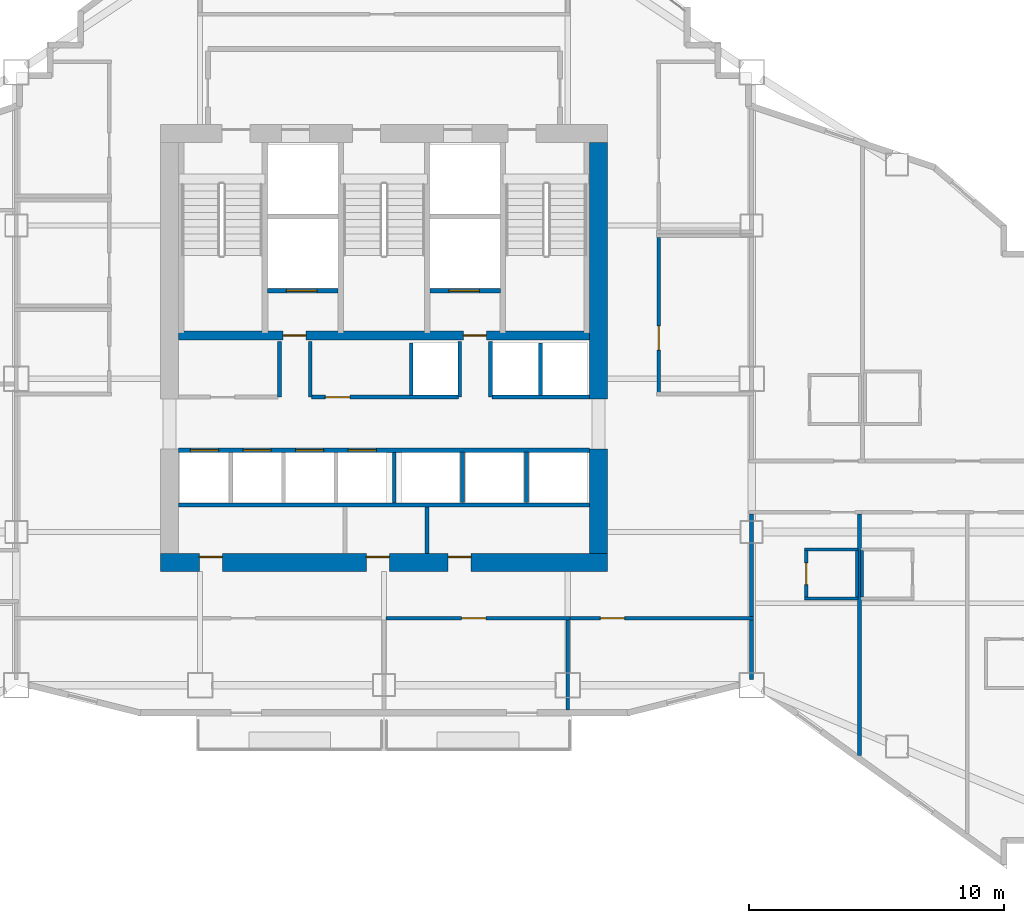
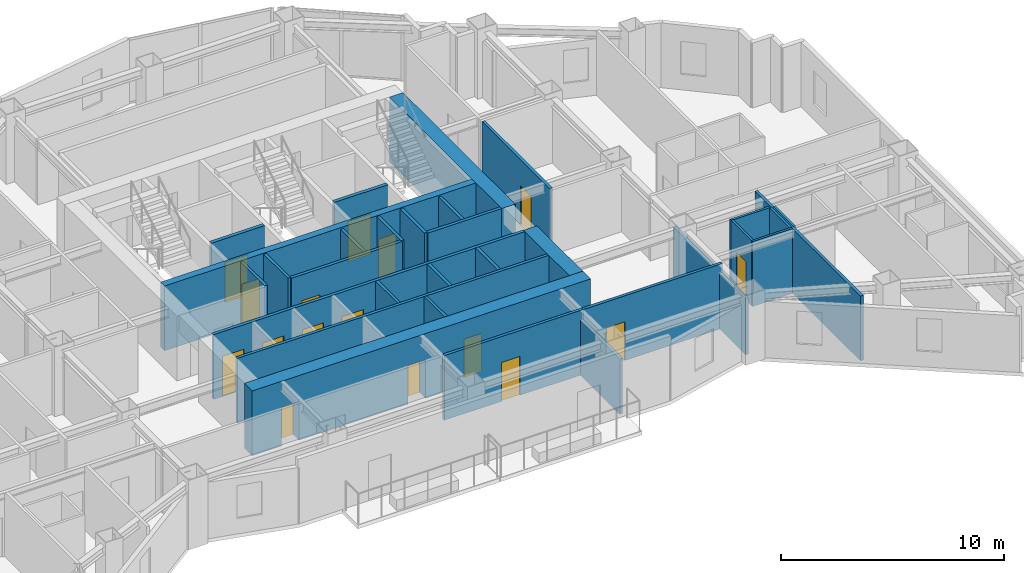
# One storey, part 9 of 14: 32 walls, 16 doors, 16 openings.
"""IFC4 building model written with IfcOpenShell, lengths in metres."""

from ifc_helpers import new_model, si_unit, direction, frame, frame_2d, origin, place, context, subcontext, project, spatial, rectangle, extrude, material, layer, layer_set, type_object, element, fill, save


model = new_model("IFC4")

# Units and contexts
model_context = context("Model", 3, precision=1e-05, world=origin(), true_north=direction((0.0, 1.0)))
body_context = subcontext(model_context, "Body", "Model", "MODEL_VIEW")
ifc_project = project(units=[si_unit("LENGTHUNIT", "METRE"), si_unit("AREAUNIT", "SQUARE_METRE"), si_unit("VOLUMEUNIT", "CUBIC_METRE"), si_unit("PLANEANGLEUNIT", "RADIAN"), si_unit("MASSUNIT", "GRAM", prefix="KILO")], contexts=[model_context])

# Site, building, storey
site_placement = place(None, origin())
site = spatial("IfcSite", under=ifc_project, at=site_placement, CompositionType="ELEMENT")
building_placement = place(site_placement, origin())
building = spatial("IfcBuilding", under=site, at=building_placement, Name="Haolan Belvedere Tower", CompositionType="ELEMENT")
storey_placement = place(building_placement, frame((0.0, 0.0, 132.60009765625)))
storey = spatial("IfcBuildingStorey", under=building, at=storey_placement, Name="L33", CompositionType="ELEMENT", Elevation=132.60009765625)

# Wall, openings, doors
ifc_material_1 = material(Name="Concrete C60/75", Category="concrete")
ifc_layer_1 = layer(ifc_material_1, 0.699951171875, Name="Concrete C60/75")
ifc_layer_set_1 = layer_set([ifc_layer_1], Name="Concrete C60/75")
wall_type_1 = type_object("IfcWallType", Name="WL-CORE-700", PredefinedType="SHEAR", material=ifc_layer_set_1)
wall_1_placement = place(storey_placement, frame((29.64990234375, 26.39990234375, 0.0), z_axis=(0.0, 0.0, 1.0), x_axis=(1.0, 0.0, 0.0)))
wall_1 = element("IfcWall", 1, at=wall_1_placement, inside=storey, type_object=wall_type_1, Name="L33 central core south shear wall", PredefinedType="SHEAR", context=body_context, shape_type="SweptSolid", body=[
    extrude(rectangle(XDim=17.5, YDim=0.699951171875, at=frame_2d((8.75, 0.0))), origin(), (0.0, 0.0, 1.0), 3.539794921875),
])
opening_1_placement = place(wall_1_placement, frame((2.419921875, 0.0, 0.0), z_axis=(0.0, 0.0, 1.0), x_axis=(-1.0, 0.0, 0.0)))
opening_1 = element("IfcOpeningElement", 2, at=opening_1_placement, cuts=wall_1, Name="Opening FD-05", PredefinedType="OPENING", context=body_context, shape_type="SweptSolid", body=[
    extrude(rectangle(XDim=0.89990234375, YDim=2.10009765625, at=frame_2d((0.449951171875, 1.050048828125))), frame((0.0, 0.35986328125, 0.0), z_axis=(0.0, -1.0, 0.0), x_axis=(1.0, 0.0, 0.0)), (0.0, 0.0, 1.0), 0.719970703125),
])
opening_2_placement = place(wall_1_placement, frame((8.9599609375, 0.0, 0.0), z_axis=(0.0, 0.0, 1.0), x_axis=(-1.0, 0.0, 0.0)))
opening_2 = element("IfcOpeningElement", 3, at=opening_2_placement, cuts=wall_1, Name="Opening FD-05", PredefinedType="OPENING", context=body_context, shape_type="SweptSolid", body=[
    extrude(rectangle(XDim=0.89990234375, YDim=2.10009765625, at=frame_2d((0.449951171875, 1.050048828125))), frame((0.0, 0.35986328125, 0.0), z_axis=(0.0, -1.0, 0.0), x_axis=(1.0, 0.0, 0.0)), (0.0, 0.0, 1.0), 0.719970703125),
])
opening_3_placement = place(wall_1_placement, frame((12.159912109375, 0.0, 0.0), z_axis=(0.0, 0.0, 1.0), x_axis=(-1.0, 0.0, 0.0)))
opening_3 = element("IfcOpeningElement", 4, at=opening_3_placement, cuts=wall_1, Name="Opening FD-05", PredefinedType="OPENING", context=body_context, shape_type="SweptSolid", body=[
    extrude(rectangle(XDim=0.89990234375, YDim=2.10009765625, at=frame_2d((0.449951171875, 1.050048828125))), frame((0.0, 0.35986328125, 0.0), z_axis=(0.0, -1.0, 0.0), x_axis=(1.0, 0.0, 0.0)), (0.0, 0.0, 1.0), 0.719970703125),
])
ifc_material_2 = material(Name="Galvanised fire-rated steel", Category="steel")
door_type_1 = type_object("IfcDoorType", Name="DR-FD60-900", OperationType="NOTDEFINED", PredefinedType="DOOR", material=ifc_material_2)
door_1_placement = place(opening_1_placement, origin())
door_1 = element("IfcDoor", 5, at=door_1_placement, inside=storey, type_object=door_type_1, Name="L33 door CD-L33-SCV-1", OperationType="SINGLE_SWING_LEFT", OverallHeight=2.10009765625, OverallWidth=0.89990234375, PredefinedType="DOOR", context=body_context, shape_type="SweptSolid", body=[
    extrude(rectangle(XDim=0.89990234375, YDim=2.10009765625, at=frame_2d((0.449951171875, 1.050048828125))), frame((0.0, -0.19482421875, 0.0), z_axis=(0.0, -1.0, 0.0), x_axis=(1.0, 0.0, 0.0)), (0.0, 0.0, 1.0), 0.050048828125),
])
fill(opening_1, door_1)
door_2_placement = place(opening_2_placement, origin())
door_2 = element("IfcDoor", 6, at=door_2_placement, inside=storey, type_object=door_type_1, Name="L33 door CD-L33-SCV-2", OperationType="SINGLE_SWING_RIGHT", OverallHeight=2.10009765625, OverallWidth=0.89990234375, PredefinedType="DOOR", context=body_context, shape_type="SweptSolid", body=[
    extrude(rectangle(XDim=0.89990234375, YDim=2.10009765625, at=frame_2d((0.449951171875, 1.050048828125))), frame((0.0, -0.19482421875, 0.0), z_axis=(0.0, -1.0, 0.0), x_axis=(1.0, 0.0, 0.0)), (0.0, 0.0, 1.0), 0.050048828125),
])
fill(opening_2, door_2)
door_3_placement = place(opening_3_placement, origin())
door_3 = element("IfcDoor", 7, at=door_3_placement, inside=storey, type_object=door_type_1, Name="L33 door CD-L33-SCV-3", OperationType="SINGLE_SWING_LEFT", OverallHeight=2.10009765625, OverallWidth=0.89990234375, PredefinedType="DOOR", context=body_context, shape_type="SweptSolid", body=[
    extrude(rectangle(XDim=0.89990234375, YDim=2.10009765625, at=frame_2d((0.449951171875, 1.050048828125))), frame((0.0, -0.19482421875, 0.0), z_axis=(0.0, -1.0, 0.0), x_axis=(1.0, 0.0, 0.0)), (0.0, 0.0, 1.0), 0.050048828125),
])
fill(opening_3, door_3)

# Walls
wall_2_placement = place(storey_placement, frame((46.800048828125, 26.75, 0.0), z_axis=(0.0, 0.0, 1.0), x_axis=(0.0, 1.0, 0.0)))
element("IfcWall", 8, at=wall_2_placement, inside=storey, type_object=wall_type_1, Name="L33 central core shear wall ES", PredefinedType="SHEAR", context=body_context, shape_type="SweptSolid", body=[
    extrude(rectangle(XDim=4.10009765625, YDim=0.699951171875, at=frame_2d((2.050048828125, 0.0))), origin(), (0.0, 0.0, 1.0), 3.539794921875),
])
wall_3_placement = place(storey_placement, frame((46.800048828125, 32.800048828125, 0.0), z_axis=(0.0, 0.0, 1.0), x_axis=(0.0, 1.0, 0.0)))
element("IfcWall", 9, at=wall_3_placement, inside=storey, type_object=wall_type_1, Name="L33 central core shear wall EN", PredefinedType="SHEAR", context=body_context, shape_type="SweptSolid", body=[
    extrude(rectangle(XDim=10.050048828125, YDim=0.699951171875, at=frame_2d((5.02490234375, 0.0))), origin(), (0.0, 0.0, 1.0), 3.539794921875),
])
ifc_material_3 = material(Name="Double gypsum acoustic stud partition", Category="masonry")
ifc_layer_2 = layer(ifc_material_3, 0.14990234375, Name="Double gypsum acoustic stud partition")
ifc_layer_set_2 = layer_set([ifc_layer_2], Name="Double gypsum acoustic stud partition")
wall_type_2 = type_object("IfcWallType", Name="WL-PART-150", PredefinedType="PARTITIONING", material=ifc_layer_set_2)
wall_4_placement = place(storey_placement, frame((30.35009765625, 28.659912109375, 0.0), z_axis=(0.0, 0.0, 1.0), x_axis=(1.0, 0.0, 0.0)))
element("IfcWall", 10, at=wall_4_placement, inside=storey, type_object=wall_type_2, Name="L33 interior partition IW-L33-SSTRIP-N", PredefinedType="PARTITIONING", context=body_context, shape_type="SweptSolid", body=[
    extrude(rectangle(XDim=16.099853515625, YDim=0.14990234375, at=frame_2d((8.0498046875, 0.0))), origin(), (0.0, 0.0, 1.0), 3.539794921875),
])
wall_5_placement = place(storey_placement, frame((40.080078125, 26.760009765625, 0.0), z_axis=(0.0, 0.0, 1.0), x_axis=(0.0, 1.0, 0.0)))
element("IfcWall", 11, at=wall_5_placement, inside=storey, type_object=wall_type_2, Name="L33 interior partition IW-L33-SCV-DIV-2", PredefinedType="PARTITIONING", context=body_context, shape_type="SweptSolid", body=[
    extrude(rectangle(XDim=1.820068359375, YDim=0.14990234375, at=frame_2d((0.91015625, 0.0))), origin(), (0.0, 0.0, 1.0), 3.539794921875),
])

# Wall, opening, door
wall_6_placement = place(storey_placement, frame((49.159912109375, 33.06005859375, 0.0), z_axis=(0.0, 0.0, 1.0), x_axis=(0.0, 1.0, 0.0)))
wall_6 = element("IfcWall", 12, at=wall_6_placement, inside=storey, type_object=wall_type_2, Name="L33 interior partition IW-L33-HSK-W", PredefinedType="PARTITIONING", context=body_context, shape_type="SweptSolid", body=[
    extrude(rectangle(XDim=6.079833984375, YDim=0.14990234375, at=frame_2d((3.0400390625, 0.0))), origin(), (0.0, 0.0, 1.0), 3.539794921875),
])
opening_4_placement = place(wall_6_placement, frame((1.659912109375, 0.0, 0.0)))
opening_4 = element("IfcOpeningElement", 13, at=opening_4_placement, cuts=wall_6, Name="Opening ID-03", PredefinedType="OPENING", context=body_context, shape_type="SweptSolid", body=[
    extrude(rectangle(XDim=0.949951171875, YDim=2.1201171875, at=frame_2d((0.47509765625, 1.06005859375))), frame((0.0, 0.0849609375, 0.0), z_axis=(0.0, -1.0, 0.0), x_axis=(1.0, 0.0, 0.0)), (0.0, 0.0, 1.0), 0.169921875),
])
ifc_material_4 = material(Name="Painted solid-core timber", Category="wood")
door_type_2 = type_object("IfcDoorType", Name="DR-INT-950", OperationType="NOTDEFINED", PredefinedType="DOOR", material=ifc_material_4)
door_4_placement = place(opening_4_placement, origin())
door_4 = element("IfcDoor", 14, at=door_4_placement, inside=storey, type_object=door_type_2, Name="L33 door ID-L33-HSK", OperationType="SINGLE_SWING_RIGHT", OverallHeight=2.1201171875, OverallWidth=0.949951171875, PredefinedType="DOOR", context=body_context, shape_type="SweptSolid", body=[
    extrude(rectangle(XDim=0.949951171875, YDim=2.1201171875, at=frame_2d((0.47509765625, 1.06005859375))), frame((0.0, 0.02490234375, 0.0), z_axis=(0.0, -1.0, 0.0), x_axis=(1.0, 0.0, 0.0)), (0.0, 0.0, 1.0), 0.050048828125),
])
fill(opening_4, door_4)

wall_7_placement = place(storey_placement, frame((38.48193359375, 24.219970703125, 0.0), z_axis=(0.0, 0.0, 1.0), x_axis=(1.0, 0.0, 0.0)))
wall_7 = element("IfcWall", 15, at=wall_7_placement, inside=storey, type_object=wall_type_2, Name="L33 interior partition IW-L33-KS2-N", PredefinedType="PARTITIONING", context=body_context, shape_type="SweptSolid", body=[
    extrude(rectangle(XDim=7.197998046875, YDim=0.14990234375, at=frame_2d((3.59912109375, 0.0))), origin(), (0.0, 0.0, 1.0), 3.539794921875),
])
opening_5_placement = place(wall_7_placement, frame((3.912841796875, 0.0, 0.0), z_axis=(0.0, 0.0, 1.0), x_axis=(-1.0, 0.0, 0.0)))
opening_5 = element("IfcOpeningElement", 16, at=opening_5_placement, cuts=wall_7, Name="Opening ID-03", PredefinedType="OPENING", context=body_context, shape_type="SweptSolid", body=[
    extrude(rectangle(XDim=0.949951171875, YDim=2.1201171875, at=frame_2d((0.47509765625, 1.06005859375))), frame((0.0, 0.0849609375, 0.0), z_axis=(0.0, -1.0, 0.0), x_axis=(1.0, 0.0, 0.0)), (0.0, 0.0, 1.0), 0.169921875),
])
door_5_placement = place(opening_5_placement, origin())
door_5 = element("IfcDoor", 17, at=door_5_placement, inside=storey, type_object=door_type_2, Name="L33 door ID-L33-KS2", OperationType="SINGLE_SWING_RIGHT", OverallHeight=2.1201171875, OverallWidth=0.949951171875, PredefinedType="DOOR", context=body_context, shape_type="SweptSolid", body=[
    extrude(rectangle(XDim=0.949951171875, YDim=2.1201171875, at=frame_2d((0.47509765625, 1.06005859375))), frame((0.0, 0.02490234375, 0.0), z_axis=(0.0, -1.0, 0.0), x_axis=(1.0, 0.0, 0.0)), (0.0, 0.0, 1.0), 0.050048828125),
])
fill(opening_5, door_5)

# Wall
wall_8_placement = place(storey_placement, frame((45.60009765625, 20.625, 0.0), z_axis=(0.0, 0.0, 1.0), x_axis=(0.0, 1.0, 0.0)))
element("IfcWall", 18, at=wall_8_placement, inside=storey, type_object=wall_type_2, Name="L33 interior partition IW-L33-KS2-E", PredefinedType="PARTITIONING", context=body_context, shape_type="SweptSolid", body=[
    extrude(rectangle(XDim=3.534912109375, YDim=0.14990234375, at=frame_2d((1.767578125, 0.0))), origin(), (0.0, 0.0, 1.0), 3.02490234375),
])

# Wall, opening, door
wall_9_placement = place(storey_placement, frame((45.681884765625, 24.219970703125, 0.0), z_axis=(0.0, 0.0, 1.0), x_axis=(1.0, 0.0, 0.0)))
wall_9 = element("IfcWall", 19, at=wall_9_placement, inside=storey, type_object=wall_type_2, Name="L33 interior partition IW-L33-KS3-N", PredefinedType="PARTITIONING", context=body_context, shape_type="SweptSolid", body=[
    extrude(rectangle(XDim=7.197998046875, YDim=0.14990234375, at=frame_2d((3.59912109375, 0.0))), origin(), (0.0, 0.0, 1.0), 3.539794921875),
])
opening_6_placement = place(wall_9_placement, frame((2.14306640625, 0.0, 0.0), z_axis=(0.0, 0.0, 1.0), x_axis=(-1.0, 0.0, 0.0)))
opening_6 = element("IfcOpeningElement", 20, at=opening_6_placement, cuts=wall_9, Name="Opening ID-03", PredefinedType="OPENING", context=body_context, shape_type="SweptSolid", body=[
    extrude(rectangle(XDim=0.949951171875, YDim=2.1201171875, at=frame_2d((0.47509765625, 1.06005859375))), frame((0.0, 0.0849609375, 0.0), z_axis=(0.0, -1.0, 0.0), x_axis=(1.0, 0.0, 0.0)), (0.0, 0.0, 1.0), 0.169921875),
])
door_6_placement = place(opening_6_placement, origin())
door_6 = element("IfcDoor", 21, at=door_6_placement, inside=storey, type_object=door_type_2, Name="L33 door ID-L33-KS3", OperationType="SINGLE_SWING_LEFT", OverallHeight=2.1201171875, OverallWidth=0.949951171875, PredefinedType="DOOR", context=body_context, shape_type="SweptSolid", body=[
    extrude(rectangle(XDim=0.949951171875, YDim=2.1201171875, at=frame_2d((0.47509765625, 1.06005859375))), frame((0.0, 0.02490234375, 0.0), z_axis=(0.0, -1.0, 0.0), x_axis=(1.0, 0.0, 0.0)), (0.0, 0.0, 1.0), 0.050048828125),
])
fill(opening_6, door_6)

# Walls
wall_10_placement = place(storey_placement, frame((52.800048828125, 21.818603515625, 0.0), z_axis=(0.0, 0.0, 1.0), x_axis=(0.0, 1.0, 0.0)))
element("IfcWall", 22, at=wall_10_placement, inside=storey, type_object=wall_type_2, Name="L33 interior partition IW-L33-KS3-E", PredefinedType="PARTITIONING", context=body_context, shape_type="SweptSolid", body=[
    extrude(rectangle(XDim=2.34130859375, YDim=0.14990234375, at=frame_2d((1.170654296875, 0.0))), origin(), (0.0, 0.0, 1.0), 3.0849609375),
])
wall_11_placement = place(storey_placement, frame((52.800048828125, 24.280029296875, 0.0), z_axis=(0.0, 0.0, 1.0), x_axis=(0.0, 1.0, 0.0)))
element("IfcWall", 23, at=wall_11_placement, inside=storey, type_object=wall_type_2, Name="L33 interior partition IW-L33-T4S1-W", PredefinedType="PARTITIONING", context=body_context, shape_type="SweptSolid", body=[
    extrude(rectangle(XDim=4.030029296875, YDim=0.14990234375, at=frame_2d((2.01513671875, 0.0))), origin(), (0.0, 0.0, 1.0), 3.0849609375),
])
wall_12_placement = place(storey_placement, frame((57.02001953125, 18.8388671875, 0.0), z_axis=(0.0, 0.0, 1.0), x_axis=(0.0, 1.0, 0.0)))
element("IfcWall", 24, at=wall_12_placement, inside=storey, type_object=wall_type_2, Name="L33 interior partition IW-L33-T4S1-E", PredefinedType="PARTITIONING", context=body_context, shape_type="SweptSolid", body=[
    extrude(rectangle(XDim=9.47119140625, YDim=0.14990234375, at=frame_2d((4.735595703125, 0.0))), origin(), (0.0, 0.0, 1.0), 3.539794921875),
])
ifc_material_5 = material(Name="Gypsum fire shaftwall assembly", Category="masonry")
ifc_layer_3 = layer(ifc_material_5, 0.1650390625, Name="Gypsum fire shaftwall assembly")
ifc_layer_set_3 = layer_set([ifc_layer_3], Name="Gypsum fire shaftwall assembly")
wall_type_3 = type_object("IfcWallType", Name="WL-SHAFT-160", PredefinedType="SOLIDWALL", material=ifc_layer_set_3)
for number, where, z_axis, x_axis, name in (
    (25, (34.31005859375, 32.8798828125, 0.0), (0.0, 0.0, 1.0), (0.0, 1.0, 0.0), "L33 interior partition IW-L33-SVP-W-SV1"),
    (26, (35.510009765625, 32.8798828125, 0.0), (0.0, 0.0, 1.0), (0.0, 1.0, 0.0), "L33 interior partition IW-L33-SVP-E-SV1"),
    (27, (41.3701171875, 32.8798828125, 0.0), (0.0, 0.0, 1.0), (0.0, 1.0, 0.0), "L33 interior partition IW-L33-SVP-W-SV2"),
    (28, (42.570068359375, 32.8798828125, 0.0), (0.0, 0.0, 1.0), (0.0, 1.0, 0.0), "L33 interior partition IW-L33-SVP-E-SV2"),
):
    element("IfcWall", number, at=place(storey_placement, frame(where, z_axis=z_axis, x_axis=x_axis)), inside=storey, type_object=wall_type_3, Name=name, PredefinedType="SOLIDWALL", context=body_context, shape_type="SweptSolid", body=[
        extrude(rectangle(XDim=2.170166015625, YDim=0.14990234375, at=frame_2d((1.0849609375, 0.0))), origin(), (0.0, 0.0, 1.0), 3.539794921875),
    ])

# Wall, opening, door
wall_13_placement = place(storey_placement, frame((35.570068359375, 32.8798828125, 0.0), z_axis=(0.0, 0.0, 1.0), x_axis=(1.0, 0.0, 0.0)))
wall_13 = element("IfcWall", 29, at=wall_13_placement, inside=storey, type_object=wall_type_3, Name="L33 interior partition IW-L33-ROW-PN2", PredefinedType="SOLIDWALL", context=body_context, shape_type="SweptSolid", body=[
    extrude(rectangle(XDim=5.739990234375, YDim=0.159912109375, at=frame_2d((2.8701171875, 0.0))), origin(), (0.0, 0.0, 1.0), 3.539794921875),
])
opening_7_placement = place(wall_13_placement, frame((1.489990234375, 0.0, 0.0), z_axis=(0.0, 0.0, 1.0), x_axis=(-1.0, 0.0, 0.0)))
opening_7 = element("IfcOpeningElement", 30, at=opening_7_placement, cuts=wall_13, Name="Opening ID-03", PredefinedType="OPENING", context=body_context, shape_type="SweptSolid", body=[
    extrude(rectangle(XDim=0.949951171875, YDim=2.1201171875, at=frame_2d((0.47509765625, 1.06005859375))), frame((0.0, 0.08984375, 0.0), z_axis=(0.0, -1.0, 0.0), x_axis=(1.0, 0.0, 0.0)), (0.0, 0.0, 1.0), 0.179931640625),
])
door_7_placement = place(opening_7_placement, origin())
door_7 = element("IfcDoor", 31, at=door_7_placement, inside=storey, type_object=door_type_2, Name="L33 door ID-L33-CD-RPLE", OperationType="SINGLE_SWING_RIGHT", OverallHeight=2.1201171875, OverallWidth=0.949951171875, PredefinedType="DOOR", context=body_context, shape_type="SweptSolid", body=[
    extrude(rectangle(XDim=0.949951171875, YDim=2.1201171875, at=frame_2d((0.47509765625, 1.06005859375))), frame((0.0, 0.02490234375, 0.0), z_axis=(0.0, -1.0, 0.0), x_axis=(1.0, 0.0, 0.0)), (0.0, 0.0, 1.0), 0.050048828125),
])
fill(opening_7, door_7)

# Walls
wall_14_placement = place(storey_placement, frame((42.6298828125, 32.8798828125, 0.0), z_axis=(0.0, 0.0, 1.0), x_axis=(1.0, 0.0, 0.0)))
element("IfcWall", 32, at=wall_14_placement, inside=storey, type_object=wall_type_3, Name="L33 interior partition IW-L33-ROW-PN3", PredefinedType="SOLIDWALL", context=body_context, shape_type="SweptSolid", body=[
    extrude(rectangle(XDim=3.820068359375, YDim=0.159912109375, at=frame_2d((1.91015625, 0.0))), origin(), (0.0, 0.0, 1.0), 3.539794921875),
])
for number, where, z_axis, x_axis, name in (
    (33, (39.469970703125, 32.949951171875, 0.0), (0.0, 0.0, 1.0), (0.0, 1.0, 0.0), "L33 interior partition IW-L33-DIV-PL4R"),
    (34, (44.530029296875, 32.949951171875, 0.0), (0.0, 0.0, 1.0), (0.0, 1.0, 0.0), "L33 interior partition IW-L33-DIV-PH2"),
):
    element("IfcWall", number, at=place(storey_placement, frame(where, z_axis=z_axis, x_axis=x_axis)), inside=storey, type_object=wall_type_3, Name=name, PredefinedType="SOLIDWALL", context=body_context, shape_type="SweptSolid", body=[
        extrude(rectangle(XDim=2.050048828125, YDim=0.14990234375, at=frame_2d((1.02490234375, 0.0))), origin(), (0.0, 0.0, 1.0), 3.539794921875),
    ])

# Wall, openings, doors
wall_15_placement = place(storey_placement, frame((30.35009765625, 30.800048828125, 0.0), z_axis=(0.0, 0.0, 1.0), x_axis=(1.0, 0.0, 0.0)))
wall_15 = element("IfcWall", 35, at=wall_15_placement, inside=storey, type_object=wall_type_3, Name="L33 interior partition IW-L33-ROW-PS", PredefinedType="SOLIDWALL", context=body_context, shape_type="SweptSolid", body=[
    extrude(rectangle(XDim=16.099853515625, YDim=0.159912109375, at=frame_2d((8.0498046875, 0.0))), origin(), (0.0, 0.0, 1.0), 3.539794921875),
])
opening_8_placement = place(wall_15_placement, frame((0.469970703125, 0.0, 0.0)))
opening_8 = element("IfcOpeningElement", 36, at=opening_8_placement, cuts=wall_15, Name="Opening LD-01", PredefinedType="OPENING", context=body_context, shape_type="SweptSolid", body=[
    extrude(rectangle(XDim=1.10009765625, YDim=2.199951171875, at=frame_2d((0.550048828125, 1.10009765625))), frame((0.0, 0.08984375, 0.0), z_axis=(0.0, -1.0, 0.0), x_axis=(1.0, 0.0, 0.0)), (0.0, 0.0, 1.0), 0.179931640625),
])
opening_9_placement = place(wall_15_placement, frame((2.530029296875, 0.0, 0.0)))
opening_9 = element("IfcOpeningElement", 37, at=opening_9_placement, cuts=wall_15, Name="Opening LD-01", PredefinedType="OPENING", context=body_context, shape_type="SweptSolid", body=[
    extrude(rectangle(XDim=1.10009765625, YDim=2.199951171875, at=frame_2d((0.550048828125, 1.10009765625))), frame((0.0, 0.08984375, 0.0), z_axis=(0.0, -1.0, 0.0), x_axis=(1.0, 0.0, 0.0)), (0.0, 0.0, 1.0), 0.179931640625),
])
opening_10_placement = place(wall_15_placement, frame((4.590087890625, 0.0, 0.0)))
opening_10 = element("IfcOpeningElement", 38, at=opening_10_placement, cuts=wall_15, Name="Opening LD-01", PredefinedType="OPENING", context=body_context, shape_type="SweptSolid", body=[
    extrude(rectangle(XDim=1.10009765625, YDim=2.199951171875, at=frame_2d((0.550048828125, 1.10009765625))), frame((0.0, 0.08984375, 0.0), z_axis=(0.0, -1.0, 0.0), x_axis=(1.0, 0.0, 0.0)), (0.0, 0.0, 1.0), 0.179931640625),
])
opening_11_placement = place(wall_15_placement, frame((6.64990234375, 0.0, 0.0)))
opening_11 = element("IfcOpeningElement", 39, at=opening_11_placement, cuts=wall_15, Name="Opening LD-01", PredefinedType="OPENING", context=body_context, shape_type="SweptSolid", body=[
    extrude(rectangle(XDim=1.10009765625, YDim=2.199951171875, at=frame_2d((0.550048828125, 1.10009765625))), frame((0.0, 0.08984375, 0.0), z_axis=(0.0, -1.0, 0.0), x_axis=(1.0, 0.0, 0.0)), (0.0, 0.0, 1.0), 0.179931640625),
])
ifc_material_6 = material(Name="Brushed champagne stainless steel 316L", Category="steel")
door_type_3 = type_object("IfcDoorType", Name="DR-LIFT-1100", OperationType="SLIDING_TO_LEFT", PredefinedType="DOOR", material=ifc_material_6)
door_8_placement = place(opening_8_placement, origin())
door_8 = element("IfcDoor", 40, at=door_8_placement, inside=storey, type_object=door_type_3, Name="L33 door ID-L33-LD-PM1", OperationType="SLIDING_TO_LEFT", OverallHeight=2.199951171875, OverallWidth=1.10009765625, PredefinedType="DOOR", context=body_context, shape_type="SweptSolid", body=[
    extrude(rectangle(XDim=1.10009765625, YDim=2.199951171875, at=frame_2d((0.550048828125, 1.10009765625))), frame((0.0, 0.02490234375, 0.0), z_axis=(0.0, -1.0, 0.0), x_axis=(1.0, 0.0, 0.0)), (0.0, 0.0, 1.0), 0.050048828125),
])
fill(opening_8, door_8)
door_9_placement = place(opening_9_placement, origin())
door_9 = element("IfcDoor", 41, at=door_9_placement, inside=storey, type_object=door_type_3, Name="L33 door ID-L33-LD-PM2", OperationType="SLIDING_TO_LEFT", OverallHeight=2.199951171875, OverallWidth=1.10009765625, PredefinedType="DOOR", context=body_context, shape_type="SweptSolid", body=[
    extrude(rectangle(XDim=1.10009765625, YDim=2.199951171875, at=frame_2d((0.550048828125, 1.10009765625))), frame((0.0, 0.02490234375, 0.0), z_axis=(0.0, -1.0, 0.0), x_axis=(1.0, 0.0, 0.0)), (0.0, 0.0, 1.0), 0.050048828125),
])
fill(opening_9, door_9)
door_10_placement = place(opening_10_placement, origin())
door_10 = element("IfcDoor", 42, at=door_10_placement, inside=storey, type_object=door_type_3, Name="L33 door ID-L33-LD-PM3", OperationType="SLIDING_TO_LEFT", OverallHeight=2.199951171875, OverallWidth=1.10009765625, PredefinedType="DOOR", context=body_context, shape_type="SweptSolid", body=[
    extrude(rectangle(XDim=1.10009765625, YDim=2.199951171875, at=frame_2d((0.550048828125, 1.10009765625))), frame((0.0, 0.02490234375, 0.0), z_axis=(0.0, -1.0, 0.0), x_axis=(1.0, 0.0, 0.0)), (0.0, 0.0, 1.0), 0.050048828125),
])
fill(opening_10, door_10)
door_11_placement = place(opening_11_placement, origin())
door_11 = element("IfcDoor", 43, at=door_11_placement, inside=storey, type_object=door_type_3, Name="L33 door ID-L33-LD-PM4", OperationType="SLIDING_TO_LEFT", OverallHeight=2.199951171875, OverallWidth=1.10009765625, PredefinedType="DOOR", context=body_context, shape_type="SweptSolid", body=[
    extrude(rectangle(XDim=1.10009765625, YDim=2.199951171875, at=frame_2d((0.550048828125, 1.10009765625))), frame((0.0, 0.02490234375, 0.0), z_axis=(0.0, -1.0, 0.0), x_axis=(1.0, 0.0, 0.0)), (0.0, 0.0, 1.0), 0.050048828125),
])
fill(opening_11, door_11)

# Walls
wall_16_placement = place(storey_placement, frame((38.800048828125, 28.735107421875, 0.0), z_axis=(0.0, 0.0, 1.0), x_axis=(0.0, 1.0, 0.0)))
element("IfcWall", 44, at=wall_16_placement, inside=storey, type_object=wall_type_3, Name="L33 interior partition IW-L33-DIV-PM4", PredefinedType="SOLIDWALL", context=body_context, shape_type="SweptSolid", body=[
    extrude(rectangle(XDim=1.98486328125, YDim=0.14990234375, at=frame_2d((0.992431640625, 0.0))), origin(), (0.0, 0.0, 1.0), 3.539794921875),
])
for number, where, z_axis, x_axis, name in (
    (45, (41.469970703125, 28.75, 0.0), (0.0, 0.0, 1.0), (0.0, 1.0, 0.0), "L33 interior partition IW-L33-DIV-OB1"),
    (46, (43.97998046875, 28.75, 0.0), (0.0, 0.0, 1.0), (0.0, 1.0, 0.0), "L33 interior partition IW-L33-DIV-OB2"),
):
    element("IfcWall", number, at=place(storey_placement, frame(where, z_axis=z_axis, x_axis=x_axis)), inside=storey, type_object=wall_type_3, Name=name, PredefinedType="SOLIDWALL", context=body_context, shape_type="SweptSolid", body=[
        extrude(rectangle(XDim=1.985107421875, YDim=0.14990234375, at=frame_2d((0.99267578125, 0.0))), origin(), (0.0, 0.0, 1.0), 3.539794921875),
    ])

# Wall, opening, door
ifc_material_7 = material(Name="Precast concrete C40/50", Category="concrete")
ifc_layer_4 = layer(ifc_material_7, 0.179931640625, Name="Precast concrete C40/50")
ifc_layer_set_4 = layer_set([ifc_layer_4], Name="Precast concrete C40/50")
wall_type_4 = type_object("IfcWallType", Name="WL-SHAFT-180", PredefinedType="SOLIDWALL", material=ifc_layer_set_4)
wall_17_placement = place(storey_placement, frame((33.8349609375, 37.050048828125, 0.0), z_axis=(0.0, 0.0, 1.0), x_axis=(1.0, 0.0, 0.0)))
wall_17 = element("IfcWall", 47, at=wall_17_placement, inside=storey, type_object=wall_type_4, Name="L33 interior partition IW-L33-SV1-S", PredefinedType="SOLIDWALL", context=body_context, shape_type="SweptSolid", body=[
    extrude(rectangle(XDim=2.77001953125, YDim=0.179931640625, at=frame_2d((1.385009765625, 0.0))), origin(), (0.0, 0.0, 1.0), 3.539794921875),
])
opening_12_placement = place(wall_17_placement, frame((1.945068359375, 0.0, 0.0), z_axis=(0.0, 0.0, 1.0), x_axis=(-1.0, 0.0, 0.0)))
opening_12 = element("IfcOpeningElement", 48, at=opening_12_placement, cuts=wall_17, Name="Opening LD-02", PredefinedType="OPENING", context=body_context, shape_type="SweptSolid", body=[
    extrude(rectangle(XDim=1.199951171875, YDim=2.199951171875, at=frame_2d((0.60009765625, 1.10009765625))), frame((0.0, 0.099853515625, 0.0), z_axis=(0.0, -1.0, 0.0), x_axis=(1.0, 0.0, 0.0)), (0.0, 0.0, 1.0), 0.199951171875),
])
door_type_4 = type_object("IfcDoorType", Name="DR-LIFT-1200", OperationType="SLIDING_TO_RIGHT", PredefinedType="DOOR", material=ifc_material_6)
door_12_placement = place(opening_12_placement, origin())
door_12 = element("IfcDoor", 49, at=door_12_placement, inside=storey, type_object=door_type_4, Name="L33 door ID-L33-LD-SV1", OperationType="SLIDING_TO_RIGHT", OverallHeight=2.199951171875, OverallWidth=1.199951171875, PredefinedType="DOOR", context=body_context, shape_type="SweptSolid", body=[
    extrude(rectangle(XDim=1.199951171875, YDim=2.199951171875, at=frame_2d((0.60009765625, 1.10009765625))), frame((0.0, 0.02490234375, 0.0), z_axis=(0.0, -1.0, 0.0), x_axis=(1.0, 0.0, 0.0)), (0.0, 0.0, 1.0), 0.050048828125),
])
fill(opening_12, door_12)

wall_18_placement = place(storey_placement, frame((40.195068359375, 37.050048828125, 0.0), z_axis=(0.0, 0.0, 1.0), x_axis=(1.0, 0.0, 0.0)))
wall_18 = element("IfcWall", 50, at=wall_18_placement, inside=storey, type_object=wall_type_4, Name="L33 interior partition IW-L33-SV2-S", PredefinedType="SOLIDWALL", context=body_context, shape_type="SweptSolid", body=[
    extrude(rectangle(XDim=2.77001953125, YDim=0.179931640625, at=frame_2d((1.385009765625, 0.0))), origin(), (0.0, 0.0, 1.0), 3.539794921875),
])
opening_13_placement = place(wall_18_placement, frame((1.945068359375, 0.0, 0.0), z_axis=(0.0, 0.0, 1.0), x_axis=(-1.0, 0.0, 0.0)))
opening_13 = element("IfcOpeningElement", 51, at=opening_13_placement, cuts=wall_18, Name="Opening LD-02", PredefinedType="OPENING", context=body_context, shape_type="SweptSolid", body=[
    extrude(rectangle(XDim=1.199951171875, YDim=2.199951171875, at=frame_2d((0.60009765625, 1.10009765625))), frame((0.0, 0.099853515625, 0.0), z_axis=(0.0, -1.0, 0.0), x_axis=(1.0, 0.0, 0.0)), (0.0, 0.0, 1.0), 0.199951171875),
])
door_13_placement = place(opening_13_placement, origin())
door_13 = element("IfcDoor", 52, at=door_13_placement, inside=storey, type_object=door_type_4, Name="L33 door ID-L33-LD-SV2", OperationType="SLIDING_TO_RIGHT", OverallHeight=2.199951171875, OverallWidth=1.199951171875, PredefinedType="DOOR", context=body_context, shape_type="SweptSolid", body=[
    extrude(rectangle(XDim=1.199951171875, YDim=2.199951171875, at=frame_2d((0.60009765625, 1.10009765625))), frame((0.0, 0.02490234375, 0.0), z_axis=(0.0, -1.0, 0.0), x_axis=(1.0, 0.0, 0.0)), (0.0, 0.0, 1.0), 0.050048828125),
])
fill(opening_13, door_13)

# Wall, openings, doors
ifc_layer_5 = layer(ifc_material_1, 0.360107421875, Name="Concrete C60/75")
ifc_layer_set_5 = layer_set([ifc_layer_5], Name="Concrete C60/75")
wall_type_5 = type_object("IfcWallType", Name="WL-WEB-350", PredefinedType="SHEAR", material=ifc_layer_set_5)
wall_19_placement = place(storey_placement, frame((30.35009765625, 35.2900390625, 0.0), z_axis=(0.0, 0.0, 1.0), x_axis=(1.0, 0.0, 0.0)))
wall_19 = element("IfcWall", 53, at=wall_19_placement, inside=storey, type_object=wall_type_5, Name="L33 central core internal shear web", PredefinedType="SHEAR", context=body_context, shape_type="SweptSolid", body=[
    extrude(rectangle(XDim=16.099853515625, YDim=0.360107421875, at=frame_2d((8.0498046875, 0.0))), origin(), (0.0, 0.0, 1.0), 3.539794921875),
])
opening_14_placement = place(wall_19_placement, frame((5.0, 0.0, 0.0), z_axis=(0.0, 0.0, 1.0), x_axis=(-1.0, 0.0, 0.0)))
opening_14 = element("IfcOpeningElement", 54, at=opening_14_placement, cuts=wall_19, Name="Opening FD-05", PredefinedType="OPENING", context=body_context, shape_type="SweptSolid", body=[
    extrude(rectangle(XDim=0.89990234375, YDim=2.10009765625, at=frame_2d((0.449951171875, 1.050048828125))), frame((0.0, 0.18994140625, 0.0), z_axis=(0.0, -1.0, 0.0), x_axis=(1.0, 0.0, 0.0)), (0.0, 0.0, 1.0), 0.380126953125),
])
opening_15_placement = place(wall_19_placement, frame((12.059814453125, 0.0, 0.0), z_axis=(0.0, 0.0, 1.0), x_axis=(-1.0, 0.0, 0.0)))
opening_15 = element("IfcOpeningElement", 55, at=opening_15_placement, cuts=wall_19, Name="Opening FD-05", PredefinedType="OPENING", context=body_context, shape_type="SweptSolid", body=[
    extrude(rectangle(XDim=0.89990234375, YDim=2.10009765625, at=frame_2d((0.449951171875, 1.050048828125))), frame((0.0, 0.18994140625, 0.0), z_axis=(0.0, -1.0, 0.0), x_axis=(1.0, 0.0, 0.0)), (0.0, 0.0, 1.0), 0.380126953125),
])
door_14_placement = place(opening_14_placement, origin())
door_14 = element("IfcDoor", 56, at=door_14_placement, inside=storey, type_object=door_type_1, Name="L33 door CD-L33-SVL-SV1", OperationType="SINGLE_SWING_RIGHT", OverallHeight=2.10009765625, OverallWidth=0.89990234375, PredefinedType="DOOR", context=body_context, shape_type="SweptSolid", body=[
    extrude(rectangle(XDim=0.89990234375, YDim=2.10009765625, at=frame_2d((0.449951171875, 1.050048828125))), frame((0.0, 0.02490234375, 0.0), z_axis=(0.0, -1.0, 0.0), x_axis=(1.0, 0.0, 0.0)), (0.0, 0.0, 1.0), 0.050048828125),
])
fill(opening_14, door_14)
door_15_placement = place(opening_15_placement, origin())
door_15 = element("IfcDoor", 57, at=door_15_placement, inside=storey, type_object=door_type_1, Name="L33 door CD-L33-SVL-SV2", OperationType="SINGLE_SWING_RIGHT", OverallHeight=2.10009765625, OverallWidth=0.89990234375, PredefinedType="DOOR", context=body_context, shape_type="SweptSolid", body=[
    extrude(rectangle(XDim=0.89990234375, YDim=2.10009765625, at=frame_2d((0.449951171875, 1.050048828125))), frame((0.0, 0.02490234375, 0.0), z_axis=(0.0, -1.0, 0.0), x_axis=(1.0, 0.0, 0.0)), (0.0, 0.0, 1.0), 0.050048828125),
])
fill(opening_15, door_15)

# Walls
ifc_material_8 = material(Name="Moisture-resistant gypsum tile partition", Category="masonry")
ifc_layer_6 = layer(ifc_material_8, 0.1201171875, Name="Moisture-resistant gypsum tile partition")
ifc_layer_set_6 = layer_set([ifc_layer_6], Name="Moisture-resistant gypsum tile partition")
wall_type_6 = type_object("IfcWallType", Name="WL-WET-120", PredefinedType="PARTITIONING", material=ifc_layer_set_6)
for number, where, z_axis, x_axis, name in (
    (58, (54.8798828125, 26.919921875, 0.0), (0.0, 0.0, 1.0), (1.0, 0.0, 0.0), "L33 interior partition IW-L33-T4S1-BN"),
    (59, (54.8798828125, 25.0, 0.0), (0.0, 0.0, 1.0), (1.0, 0.0, 0.0), "L33 interior partition IW-L33-T4S1-BS"),
):
    element("IfcWall", number, at=place(storey_placement, frame(where, z_axis=z_axis, x_axis=x_axis)), inside=storey, type_object=wall_type_6, Name=name, PredefinedType="PARTITIONING", context=body_context, shape_type="SweptSolid", body=[
        extrude(rectangle(XDim=2.080078125, YDim=0.1201171875, at=frame_2d((1.0400390625, 0.0))), origin(), (0.0, 0.0, 1.0), 3.539794921875),
    ])

# Wall, opening, door
wall_20_placement = place(storey_placement, frame((54.93994140625, 25.044921875, 0.0), z_axis=(0.0, 0.0, 1.0), x_axis=(0.0, 1.0, 0.0)))
wall_20 = element("IfcWall", 60, at=wall_20_placement, inside=storey, type_object=wall_type_6, Name="L33 interior partition IW-L33-T4S1-BW", PredefinedType="PARTITIONING", context=body_context, shape_type="SweptSolid", body=[
    extrude(rectangle(XDim=1.830078125, YDim=0.1201171875, at=frame_2d((0.9150390625, 0.0))), origin(), (0.0, 0.0, 1.0), 3.539794921875),
])
opening_16_placement = place(wall_20_placement, frame((1.340087890625, 0.0, 0.0), z_axis=(0.0, 0.0, 1.0), x_axis=(-1.0, 0.0, 0.0)))
opening_16 = element("IfcOpeningElement", 61, at=opening_16_placement, cuts=wall_20, Name="Opening ID-05", PredefinedType="OPENING", context=body_context, shape_type="SweptSolid", body=[
    extrude(rectangle(XDim=0.85009765625, YDim=2.10009765625, at=frame_2d((0.425048828125, 1.050048828125))), frame((0.0, 0.070068359375, 0.0), z_axis=(0.0, -1.0, 0.0), x_axis=(1.0, 0.0, 0.0)), (0.0, 0.0, 1.0), 0.14013671875),
])
ifc_material_9 = material(Name="Moisture-resistant lacquered timber", Category="wood")
door_type_5 = type_object("IfcDoorType", Name="DR-BATH-850", OperationType="NOTDEFINED", PredefinedType="DOOR", material=ifc_material_9)
door_16_placement = place(opening_16_placement, origin())
door_16 = element("IfcDoor", 62, at=door_16_placement, inside=storey, type_object=door_type_5, Name="L33 door ID-L33-T4S1-BATH", OperationType="SINGLE_SWING_LEFT", OverallHeight=2.10009765625, OverallWidth=0.85009765625, PredefinedType="DOOR", context=body_context, shape_type="SweptSolid", body=[
    extrude(rectangle(XDim=0.85009765625, YDim=2.10009765625, at=frame_2d((0.425048828125, 1.050048828125))), frame((0.0, 0.02490234375, 0.0), z_axis=(0.0, -1.0, 0.0), x_axis=(1.0, 0.0, 0.0)), (0.0, 0.0, 1.0), 0.050048828125),
])
fill(opening_16, door_16)

# Walls
for number, where, z_axis, x_axis, name in (
    (63, (56.919921875, 25.044921875, 0.0), (0.0, 0.0, 1.0), (0.0, 1.0, 0.0), "L33 interior partition IW-L33-T4S1-BE"),
    (64, (57.1201171875, 25.044921875, 0.0), (0.0, 0.0, 1.0), (0.0, 1.0, 0.0), "L33 interior partition IW-L33-T4S2-BW"),
):
    element("IfcWall", number, at=place(storey_placement, frame(where, z_axis=z_axis, x_axis=x_axis)), inside=storey, type_object=wall_type_6, Name=name, PredefinedType="PARTITIONING", context=body_context, shape_type="SweptSolid", body=[
        extrude(rectangle(XDim=1.830078125, YDim=0.1201171875, at=frame_2d((0.9150390625, 0.0))), origin(), (0.0, 0.0, 1.0), 3.539794921875),
    ])

save(model, "model.ifc")
